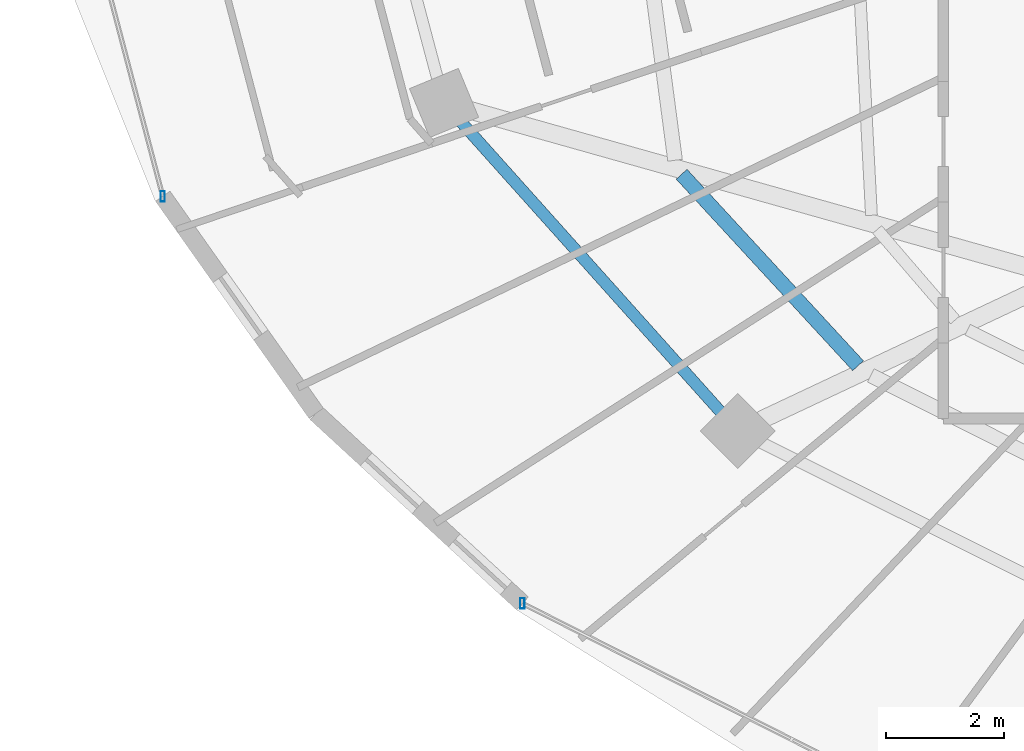
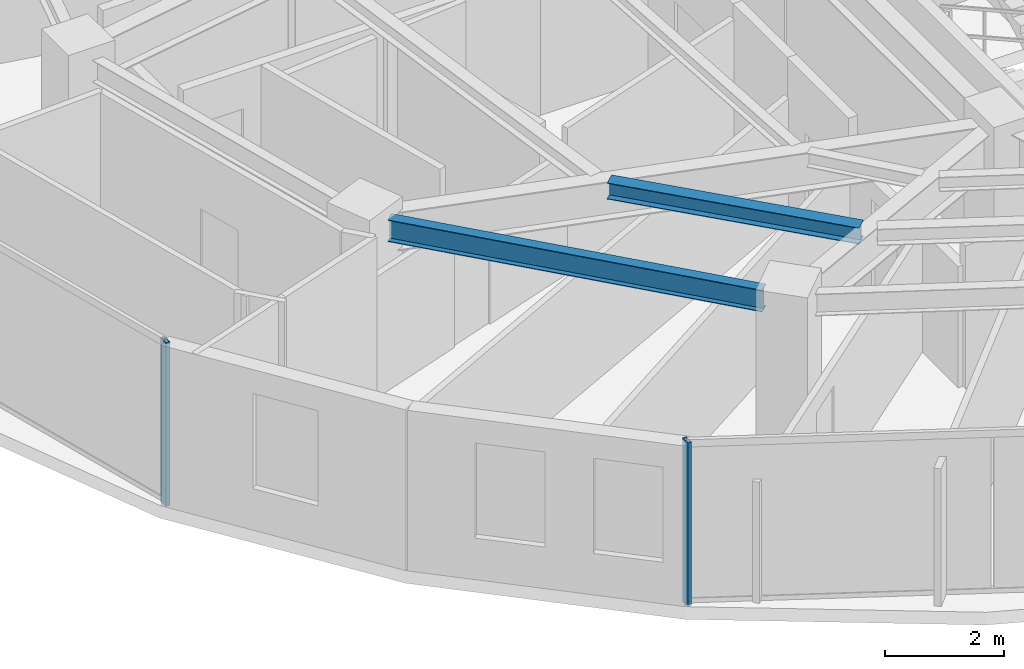
# One storey, part 2 of 34: 2 beams, 2 members, 2 elements without a shape of their own.
"""IFC4 building model written with IfcOpenShell, lengths in metres."""

from ifc_helpers import new_model, si_unit, direction, frame, origin, origin_2d, place, context, subcontext, project, spatial, hollow_rectangle, i_section, extrude, material, material_profile, profile_set, type_object, element, aggregate, save


model = new_model("IFC4")

# Units and contexts
model_context = context("Model", 3, precision=1e-05, world=origin(), true_north=direction((0.0, 1.0)))
body_context = subcontext(model_context, "Body", "Model", "MODEL_VIEW")
ifc_project = project(units=[si_unit("LENGTHUNIT", "METRE"), si_unit("AREAUNIT", "SQUARE_METRE"), si_unit("VOLUMEUNIT", "CUBIC_METRE"), si_unit("PLANEANGLEUNIT", "RADIAN"), si_unit("MASSUNIT", "GRAM", prefix="KILO")], contexts=[model_context])

# Site, building, storey
site_placement = place(None, origin())
site = spatial("IfcSite", under=ifc_project, at=site_placement, CompositionType="ELEMENT")
building_placement = place(site_placement, origin())
building = spatial("IfcBuilding", under=site, at=building_placement, Name="Vorneva Point Tower", CompositionType="ELEMENT")
storey_placement = place(building_placement, frame((0.0, 0.0, 210.75)))
storey = spatial("IfcBuildingStorey", under=building, at=storey_placement, Name="L57", CompositionType="ELEMENT", Elevation=210.75)

# Beams
ifc_material_1 = material(Name="Steel S355", Category="steel")
ifc_material_profile_1 = material_profile(ifc_material_1, i_section(OverallWidth=0.2490234375, OverallDepth=0.333984375, WebThickness=0.008056640625, FlangeThickness=0.010986328125, at=origin_2d()), Name="35Sh1")
ifc_profile_set_1 = profile_set([ifc_material_profile_1], Name="Steel S355")
beam_type_1 = type_object("IfcBeamType", Name="BM-SEC-35Sh1", PredefinedType="BEAM", material=ifc_profile_set_1)
beam_1_placement = place(storey_placement, frame((20.746337890625, 18.205078125, 3.123046875), z_axis=(0.677611480148, -0.735420071777, 0.0), x_axis=(0.735420071777, 0.677611480148, 0.0)))
element("IfcBeam", 1, at=beam_1_placement, inside=storey, type_object=beam_type_1, Name="L57 Secondary Floor Beam 1.10", PredefinedType="BEAM", context=body_context, shape_type="SweptSolid", body=[
    extrude(i_section(OverallWidth=0.2490234375, OverallDepth=0.333984375, WebThickness=0.008056640625, FlangeThickness=0.010986328125, at=origin_2d()), origin(), (0.0, 0.0, 1.0), 4.43017578125),
])
ifc_material_profile_2 = material_profile(ifc_material_1, i_section(OverallWidth=0.198974609375, OverallDepth=0.446044921875, WebThickness=0.008056640625, FlangeThickness=0.011962890625, at=origin_2d()), Name="45B1")
ifc_profile_set_2 = profile_set([ifc_material_profile_2], Name="Steel S355")
beam_type_2 = type_object("IfcBeamType", Name="BM-SPN-45B1", PredefinedType="SPANDREL", material=ifc_profile_set_2)
beam_2_placement = place(storey_placement, frame((16.994873046875, 19.09375, 3.06689453125), z_axis=(0.66706970547, -0.744995307397, 0.0), x_axis=(0.744995307397, 0.66706970547, 0.0)))
element("IfcBeam", 2, at=beam_2_placement, inside=storey, type_object=beam_type_2, Name="L57 Perimeter Spandrel Ring Beam 10", PredefinedType="SPANDREL", context=body_context, shape_type="SweptSolid", body=[
    extrude(i_section(OverallWidth=0.198974609375, OverallDepth=0.446044921875, WebThickness=0.008056640625, FlangeThickness=0.011962890625, at=origin_2d()), origin(), (0.0, 0.0, 1.0), 6.6201171875),
])

# Curtain wall, member
ifc_material_2 = material(Name="Pale anodised aluminium", Category="aluminium")
curtain_wall_type = type_object("IfcCurtainWallType", Name="CW-RES-SYS", PredefinedType="NOTDEFINED", material=ifc_material_2)
curtain_wall_1_placement = place(storey_placement, origin())
curtain_wall_1 = element("IfcCurtainWall", 3, at=curtain_wall_1_placement, inside=storey, type_object=curtain_wall_type, Name="L57 Unitised Curtain Wall CW-L57-R03", PredefinedType="NOTDEFINED")
ifc_material_profile_3 = material_profile(ifc_material_2, hollow_rectangle(XDim=0.074951171875, YDim=0.179931640625, WallThickness=0.00390625, at=origin_2d()), Name="AL-MUL 180x75x4")
ifc_profile_set_3 = profile_set([ifc_material_profile_3], Name="Pale anodised aluminium")
member_type = type_object("IfcMemberType", Name="CW-MUL-180", PredefinedType="MULLION", material=ifc_profile_set_3)
member_1_placement = place(storey_placement, frame((11.9189453125, 17.82958984375, -0.0400390625), z_axis=(0.0, 0.0, 1.0), x_axis=(1.0, 0.0, 0.0)))
member_1 = element("IfcMember", 4, at=member_1_placement, type_object=member_type, Name="CW-L57-R03 Mullion 02", PredefinedType="MULLION", context=body_context, shape_type="SweptSolid", body=[
    extrude(hollow_rectangle(XDim=0.074951171875, YDim=0.179931640625, WallThickness=0.00390625, at=origin_2d()), origin(), (0.0, 0.0, 1.0), 3.360107421875),
])
aggregate(curtain_wall_1, [member_1])

curtain_wall_2_placement = place(storey_placement, origin())
curtain_wall_2 = element("IfcCurtainWall", 5, at=curtain_wall_2_placement, inside=storey, type_object=curtain_wall_type, Name="L57 Unitised Curtain Wall CW-L57-R04", PredefinedType="NOTDEFINED")
member_2_placement = place(storey_placement, frame((18.038330078125, 10.9033203125, -0.0400390625), z_axis=(0.0, 0.0, 1.0), x_axis=(1.0, 0.0, 0.0)))
member_2 = element("IfcMember", 6, at=member_2_placement, type_object=member_type, Name="CW-L57-R04 Mullion 01", PredefinedType="MULLION", context=body_context, shape_type="SweptSolid", body=[
    extrude(hollow_rectangle(XDim=0.074951171875, YDim=0.179931640625, WallThickness=0.00390625, at=origin_2d()), origin(), (0.0, 0.0, 1.0), 3.360107421875),
])
aggregate(curtain_wall_2, [member_2])

save(model, "model.ifc")
